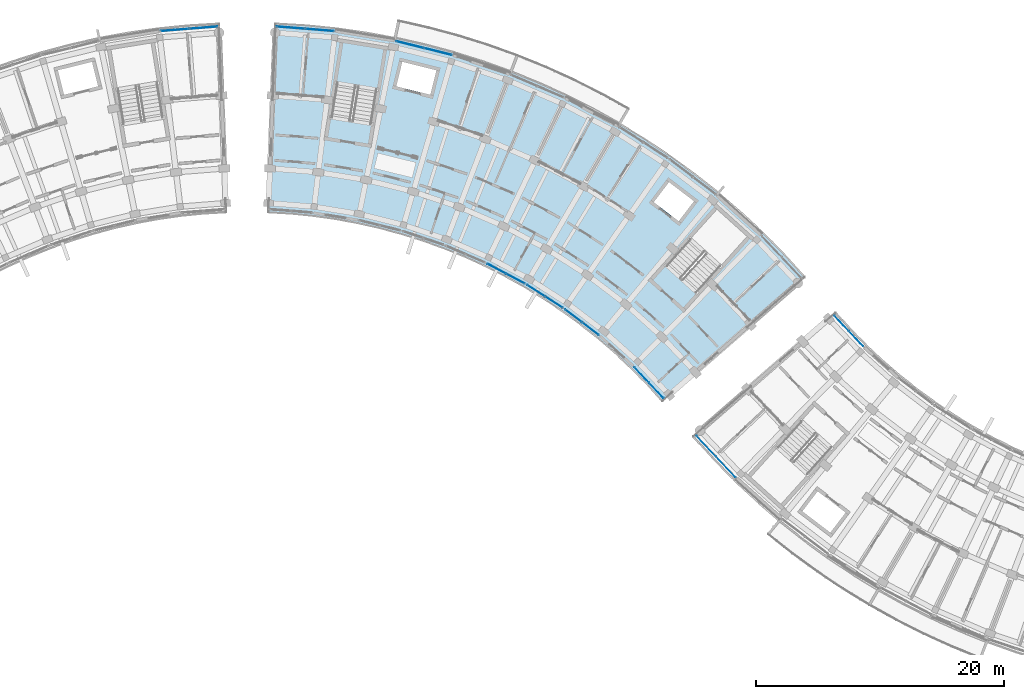
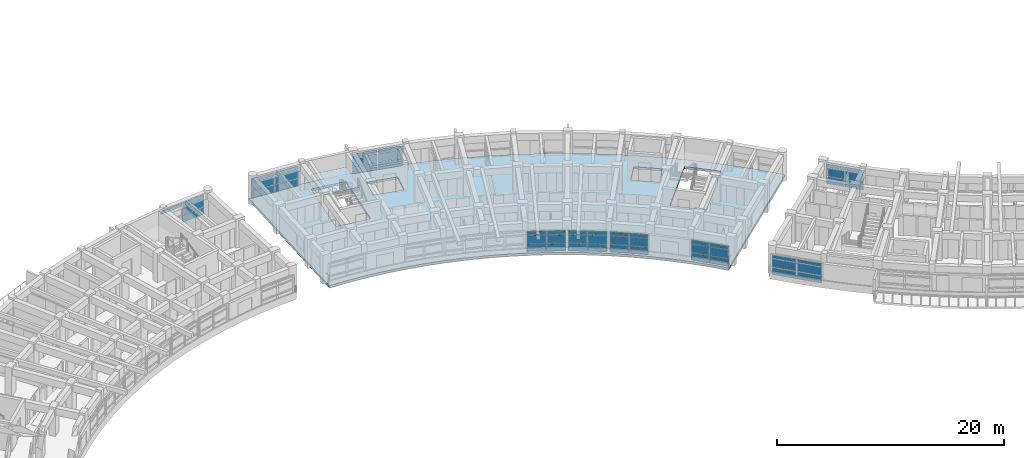
# One storey, part 35 of 70: 52 plates, 2 slabs, 10 elements without a shape of their own.
"""IFC4 building model written with IfcOpenShell, lengths in metres."""

from ifc_helpers import new_model, si_unit, direction, frame, origin, origin_2d, place, context, subcontext, project, spatial, polyline, rectangle, outline, extrude, material, layer, layer_set, type_object, element, aggregate, save


model = new_model("IFC4")

# Units and contexts
model_context = context("Model", 3, precision=1e-05, world=origin(), true_north=direction((0.0, 1.0)))
body_context = subcontext(model_context, "Body", "Model", "MODEL_VIEW")
ifc_project = project(units=[si_unit("LENGTHUNIT", "METRE"), si_unit("AREAUNIT", "SQUARE_METRE"), si_unit("VOLUMEUNIT", "CUBIC_METRE"), si_unit("PLANEANGLEUNIT", "RADIAN"), si_unit("MASSUNIT", "GRAM", prefix="KILO")], contexts=[model_context])

# Site, building, storey
site_placement = place(None, origin())
site = spatial("IfcSite", under=ifc_project, at=site_placement, CompositionType="ELEMENT")
building_placement = place(site_placement, origin())
building = spatial("IfcBuilding", under=site, at=building_placement, Name="Zimvara Arc Housing Community", CompositionType="ELEMENT")
storey_placement = place(building_placement, frame((0.0, 0.0, 8.10009765625)))
storey = spatial("IfcBuildingStorey", under=building, at=storey_placement, Name="L02", CompositionType="ELEMENT", Elevation=8.10009765625)

# Curtain wall, plates
ifc_material_1 = material(Name="Anodised Aluminium AW-6063", Category="aluminium")
curtain_wall_type_1 = type_object("IfcCurtainWallType", Name="CW-SYS-08", PredefinedType="USERDEFINED", material=ifc_material_1)
curtain_wall_1_placement = place(storey_placement, origin())
curtain_wall_1 = element("IfcCurtainWall", 1, at=curtain_wall_1_placement, inside=storey, type_object=curtain_wall_type_1, Name="cw:blkB:L02:in:b5", ObjectType="CURTAIN WALL", PredefinedType="USERDEFINED")
ifc_material_2 = material(Name="Pale-Gold Anodised Aluminium Spandrel Panel", Category="aluminium")
ifc_layer_1 = layer(ifc_material_2, 0.035888671875)
ifc_layer_set_1 = layer_set([ifc_layer_1], Name="Pale-Gold Anodised Aluminium Spandrel Panel")
plate_type_1 = type_object("IfcPlateType", Name="CWP-GLD-36", PredefinedType="CURTAIN_PANEL", material=ifc_layer_set_1)
plate_1_placement = place(storey_placement, frame((65.125244140625, 84.291259765625, 0.06494140625), z_axis=(0.0, 0.0, 1.0), x_axis=(0.88343981815, -0.468544648573, 0.0)))
plate_1 = element("IfcPlate", 2, at=plate_1_placement, type_object=plate_type_1, Name="CW08 panel 1.1", PredefinedType="CURTAIN_PANEL", context=body_context, shape_type="SweptSolid", body=[
    extrude(rectangle(XDim=1.664306640625, YDim=0.035888671875, at=origin_2d()), origin(), (0.0, 0.0, 1.0), 0.75244140625),
])
plate_2_placement = place(storey_placement, frame((65.125244140625, 84.291259765625, 0.88232421875), z_axis=(0.0, 0.0, 1.0), x_axis=(0.88343981815, -0.468544648573, 0.0)))
plate_2 = element("IfcPlate", 3, at=plate_2_placement, type_object=plate_type_1, Name="CW08 panel 1.2", PredefinedType="CURTAIN_PANEL", context=body_context, shape_type="SweptSolid", body=[
    extrude(rectangle(XDim=1.664306640625, YDim=0.035888671875, at=origin_2d()), origin(), (0.0, 0.0, 1.0), 0.885009765625),
])
plate_3_placement = place(storey_placement, frame((65.125244140625, 84.291259765625, 1.832275390625), z_axis=(0.0, 0.0, 1.0), x_axis=(0.88343981815, -0.468544648573, 0.0)))
plate_3 = element("IfcPlate", 4, at=plate_3_placement, type_object=plate_type_1, Name="CW08 panel 1.3", PredefinedType="CURTAIN_PANEL", context=body_context, shape_type="SweptSolid", body=[
    extrude(rectangle(XDim=1.664306640625, YDim=0.035888671875, at=origin_2d()), origin(), (0.0, 0.0, 1.0), 0.3525390625),
])
plate_4_placement = place(storey_placement, frame((66.653076171875, 83.48095703125, 0.06494140625), z_axis=(0.0, 0.0, 1.0), x_axis=(0.88343981815, -0.468544648573, 0.0)))
plate_4 = element("IfcPlate", 5, at=plate_4_placement, type_object=plate_type_1, Name="CW08 panel 2.1", PredefinedType="CURTAIN_PANEL", context=body_context, shape_type="SweptSolid", body=[
    extrude(rectangle(XDim=1.664306640625, YDim=0.035888671875, at=origin_2d()), origin(), (0.0, 0.0, 1.0), 0.75244140625),
])
plate_5_placement = place(storey_placement, frame((66.653076171875, 83.48095703125, 0.88232421875), z_axis=(0.0, 0.0, 1.0), x_axis=(0.88343981815, -0.468544648573, 0.0)))
plate_5 = element("IfcPlate", 6, at=plate_5_placement, type_object=plate_type_1, Name="CW08 panel 2.2", PredefinedType="CURTAIN_PANEL", context=body_context, shape_type="SweptSolid", body=[
    extrude(rectangle(XDim=1.664306640625, YDim=0.035888671875, at=origin_2d()), origin(), (0.0, 0.0, 1.0), 0.885009765625),
])
plate_6_placement = place(storey_placement, frame((66.653076171875, 83.48095703125, 1.832275390625), z_axis=(0.0, 0.0, 1.0), x_axis=(0.88343981815, -0.468544648573, 0.0)))
plate_6 = element("IfcPlate", 7, at=plate_6_placement, type_object=plate_type_1, Name="CW08 panel 2.3", PredefinedType="CURTAIN_PANEL", context=body_context, shape_type="SweptSolid", body=[
    extrude(rectangle(XDim=1.664306640625, YDim=0.035888671875, at=origin_2d()), origin(), (0.0, 0.0, 1.0), 0.3525390625),
])
aggregate(curtain_wall_1, [plate_1, plate_2, plate_3, plate_4, plate_5, plate_6])

ifc_material_3 = material(Name="Anodised Aluminium AW-6063", Category="aluminium")
curtain_wall_type_2 = type_object("IfcCurtainWallType", Name="CW-SYS-04", PredefinedType="USERDEFINED", material=ifc_material_3)
curtain_wall_2_placement = place(storey_placement, origin())
curtain_wall_2 = element("IfcCurtainWall", 8, at=curtain_wall_2_placement, inside=storey, type_object=curtain_wall_type_2, Name="cw:blkB:L02:in:b7", ObjectType="CURTAIN WALL", PredefinedType="USERDEFINED")
plate_7_placement = place(storey_placement, frame((71.328857421875, 80.48828125, 0.06494140625), z_axis=(0.0, 0.0, 1.0), x_axis=(0.795473543119, -0.605988318533, 0.0)))
plate_7 = element("IfcPlate", 9, at=plate_7_placement, type_object=plate_type_1, Name="CW04 panel 1.1", PredefinedType="CURTAIN_PANEL", context=body_context, shape_type="SweptSolid", body=[
    extrude(rectangle(XDim=1.664306640625, YDim=0.035888671875, at=origin_2d()), origin(), (0.0, 0.0, 1.0), 0.75244140625),
])
plate_8_placement = place(storey_placement, frame((71.328857421875, 80.48828125, 0.88232421875), z_axis=(0.0, 0.0, 1.0), x_axis=(0.795473543119, -0.605988318533, 0.0)))
plate_8 = element("IfcPlate", 10, at=plate_8_placement, type_object=plate_type_1, Name="CW04 panel 1.2", PredefinedType="CURTAIN_PANEL", context=body_context, shape_type="SweptSolid", body=[
    extrude(rectangle(XDim=1.664306640625, YDim=0.035888671875, at=origin_2d()), origin(), (0.0, 0.0, 1.0), 0.885009765625),
])
plate_9_placement = place(storey_placement, frame((71.328857421875, 80.48828125, 1.832275390625), z_axis=(0.0, 0.0, 1.0), x_axis=(0.795473543119, -0.605988318533, 0.0)))
plate_9 = element("IfcPlate", 11, at=plate_9_placement, type_object=plate_type_1, Name="CW04 panel 1.3", PredefinedType="CURTAIN_PANEL", context=body_context, shape_type="SweptSolid", body=[
    extrude(rectangle(XDim=1.664306640625, YDim=0.035888671875, at=origin_2d()), origin(), (0.0, 0.0, 1.0), 0.3525390625),
])
plate_10_placement = place(storey_placement, frame((72.704345703125, 79.4404296875, 0.06494140625), z_axis=(0.0, 0.0, 1.0), x_axis=(0.795473543119, -0.605988318533, 0.0)))
plate_10 = element("IfcPlate", 12, at=plate_10_placement, type_object=plate_type_1, Name="CW04 panel 2.1", PredefinedType="CURTAIN_PANEL", context=body_context, shape_type="SweptSolid", body=[
    extrude(rectangle(XDim=1.664306640625, YDim=0.035888671875, at=origin_2d()), origin(), (0.0, 0.0, 1.0), 0.75244140625),
])
plate_11_placement = place(storey_placement, frame((72.704345703125, 79.4404296875, 0.88232421875), z_axis=(0.0, 0.0, 1.0), x_axis=(0.795473543119, -0.605988318533, 0.0)))
plate_11 = element("IfcPlate", 13, at=plate_11_placement, type_object=plate_type_1, Name="CW04 panel 2.2", PredefinedType="CURTAIN_PANEL", context=body_context, shape_type="SweptSolid", body=[
    extrude(rectangle(XDim=1.664306640625, YDim=0.035888671875, at=origin_2d()), origin(), (0.0, 0.0, 1.0), 0.885009765625),
])
plate_12_placement = place(storey_placement, frame((72.704345703125, 79.4404296875, 1.832275390625), z_axis=(0.0, 0.0, 1.0), x_axis=(0.795473543119, -0.605988318533, 0.0)))
plate_12 = element("IfcPlate", 14, at=plate_12_placement, type_object=plate_type_1, Name="CW04 panel 2.3", PredefinedType="CURTAIN_PANEL", context=body_context, shape_type="SweptSolid", body=[
    extrude(rectangle(XDim=1.664306640625, YDim=0.035888671875, at=origin_2d()), origin(), (0.0, 0.0, 1.0), 0.3525390625),
])
aggregate(curtain_wall_2, [plate_7, plate_8, plate_9, plate_10, plate_11, plate_12])

ifc_material_4 = material(Name="Anodised Aluminium AW-6063", Category="aluminium")
curtain_wall_type_3 = type_object("IfcCurtainWallType", Name="CW-SYS-05", PredefinedType="USERDEFINED", material=ifc_material_4)
curtain_wall_3_placement = place(storey_placement, origin())
curtain_wall_3 = element("IfcCurtainWall", 15, at=curtain_wall_3_placement, inside=storey, type_object=curtain_wall_type_3, Name="cw:blkA:L02:out:b9", ObjectType="CURTAIN WALL", PredefinedType="USERDEFINED")
ifc_material_5 = material(Name="Solar Control Low-E Double Glazing", Category="glass")
ifc_layer_2 = layer(ifc_material_5, 0.02392578125)
ifc_layer_set_2 = layer_set([ifc_layer_2], Name="Solar Control Low-E Double Glazing")
plate_type_2 = type_object("IfcPlateType", Name="CWP-GLZ-24", PredefinedType="CURTAIN_PANEL", material=ifc_layer_set_2)
plate_13_placement = place(storey_placement, frame((39.141357421875, 103.552001953125, 1.832275390625), z_axis=(0.0, 0.0, 1.0), x_axis=(0.996862418963, 0.079153759607, 0.0)))
plate_13 = element("IfcPlate", 16, at=plate_13_placement, type_object=plate_type_2, Name="CW05 panel 1.3", PredefinedType="CURTAIN_PANEL", context=body_context, shape_type="SweptSolid", body=[
    extrude(rectangle(XDim=2.266845703125, YDim=0.02392578125, at=origin_2d()), origin(), (0.0, 0.0, 1.0), 0.3525390625),
])
plate_14_placement = place(storey_placement, frame((41.466064453125, 103.736572265625, 0.06494140625), z_axis=(0.0, 0.0, 1.0), x_axis=(0.996862418963, 0.079153759607, 0.0)))
plate_14 = element("IfcPlate", 17, at=plate_14_placement, type_object=plate_type_2, Name="CW05 panel 2.1", PredefinedType="CURTAIN_PANEL", context=body_context, shape_type="SweptSolid", body=[
    extrude(rectangle(XDim=2.266845703125, YDim=0.02392578125, at=origin_2d()), origin(), (0.0, 0.0, 1.0), 0.75244140625),
])
plate_15_placement = place(storey_placement, frame((41.466064453125, 103.736572265625, 0.88232421875), z_axis=(0.0, 0.0, 1.0), x_axis=(0.996862418963, 0.079153759607, 0.0)))
plate_15 = element("IfcPlate", 18, at=plate_15_placement, type_object=plate_type_2, Name="CW05 panel 2.2", PredefinedType="CURTAIN_PANEL", context=body_context, shape_type="SweptSolid", body=[
    extrude(rectangle(XDim=2.266845703125, YDim=0.02392578125, at=origin_2d()), origin(), (0.0, 0.0, 1.0), 0.885009765625),
])
plate_16_placement = place(storey_placement, frame((41.466064453125, 103.736572265625, 1.832275390625), z_axis=(0.0, 0.0, 1.0), x_axis=(0.996862418963, 0.079153759607, 0.0)))
plate_16 = element("IfcPlate", 19, at=plate_16_placement, type_object=plate_type_2, Name="CW05 panel 2.3", PredefinedType="CURTAIN_PANEL", context=body_context, shape_type="SweptSolid", body=[
    extrude(rectangle(XDim=2.266845703125, YDim=0.02392578125, at=origin_2d()), origin(), (0.0, 0.0, 1.0), 0.3525390625),
])
aggregate(curtain_wall_3, [plate_13, plate_14, plate_15, plate_16])

ifc_material_6 = material(Name="Anodised Aluminium AW-6063", Category="aluminium")
curtain_wall_type_4 = type_object("IfcCurtainWallType", Name="CW-SYS-01", PredefinedType="USERDEFINED", material=ifc_material_6)
curtain_wall_4_placement = place(storey_placement, origin())
curtain_wall_4 = element("IfcCurtainWall", 20, at=curtain_wall_4_placement, inside=storey, type_object=curtain_wall_type_4, Name="cw:blkB:L02:out:b0", ObjectType="CURTAIN WALL", PredefinedType="USERDEFINED")
plate_17_placement = place(storey_placement, frame((48.533935546875, 103.736572265625, 0.06494140625), z_axis=(0.0, 0.0, 1.0), x_axis=(0.996862418963, -0.079153759607, 0.0)))
plate_17 = element("IfcPlate", 21, at=plate_17_placement, type_object=plate_type_2, Name="CW01 panel 1.1", PredefinedType="CURTAIN_PANEL", context=body_context, shape_type="SweptSolid", body=[
    extrude(rectangle(XDim=2.266845703125, YDim=0.02392578125, at=origin_2d()), origin(), (0.0, 0.0, 1.0), 0.75244140625),
])
plate_18_placement = place(storey_placement, frame((48.533935546875, 103.736572265625, 0.88232421875), z_axis=(0.0, 0.0, 1.0), x_axis=(0.996862418963, -0.079153759607, 0.0)))
plate_18 = element("IfcPlate", 22, at=plate_18_placement, type_object=plate_type_2, Name="CW01 panel 1.2", PredefinedType="CURTAIN_PANEL", context=body_context, shape_type="SweptSolid", body=[
    extrude(rectangle(XDim=2.266845703125, YDim=0.02392578125, at=origin_2d()), origin(), (0.0, 0.0, 1.0), 0.885009765625),
])
plate_19_placement = place(storey_placement, frame((48.533935546875, 103.736572265625, 1.832275390625), z_axis=(0.0, 0.0, 1.0), x_axis=(0.996862418963, -0.079153759607, 0.0)))
plate_19 = element("IfcPlate", 23, at=plate_19_placement, type_object=plate_type_2, Name="CW01 panel 1.3", PredefinedType="CURTAIN_PANEL", context=body_context, shape_type="SweptSolid", body=[
    extrude(rectangle(XDim=2.266845703125, YDim=0.02392578125, at=origin_2d()), origin(), (0.0, 0.0, 1.0), 0.3525390625),
])
plate_20_placement = place(storey_placement, frame((50.858642578125, 103.552001953125, 0.06494140625), z_axis=(0.0, 0.0, 1.0), x_axis=(0.996862418963, -0.079153759607, 0.0)))
plate_20 = element("IfcPlate", 24, at=plate_20_placement, type_object=plate_type_2, Name="CW01 panel 2.1", PredefinedType="CURTAIN_PANEL", context=body_context, shape_type="SweptSolid", body=[
    extrude(rectangle(XDim=2.266845703125, YDim=0.02392578125, at=origin_2d()), origin(), (0.0, 0.0, 1.0), 0.75244140625),
])
plate_21_placement = place(storey_placement, frame((50.858642578125, 103.552001953125, 0.88232421875), z_axis=(0.0, 0.0, 1.0), x_axis=(0.996862418963, -0.079153759607, 0.0)))
plate_21 = element("IfcPlate", 25, at=plate_21_placement, type_object=plate_type_2, Name="CW01 panel 2.2", PredefinedType="CURTAIN_PANEL", context=body_context, shape_type="SweptSolid", body=[
    extrude(rectangle(XDim=2.266845703125, YDim=0.02392578125, at=origin_2d()), origin(), (0.0, 0.0, 1.0), 0.885009765625),
])
plate_22_placement = place(storey_placement, frame((50.858642578125, 103.552001953125, 1.832275390625), z_axis=(0.0, 0.0, 1.0), x_axis=(0.996862418963, -0.079153759607, 0.0)))
plate_22 = element("IfcPlate", 26, at=plate_22_placement, type_object=plate_type_2, Name="CW01 panel 2.3", PredefinedType="CURTAIN_PANEL", context=body_context, shape_type="SweptSolid", body=[
    extrude(rectangle(XDim=2.266845703125, YDim=0.02392578125, at=origin_2d()), origin(), (0.0, 0.0, 1.0), 0.3525390625),
])
aggregate(curtain_wall_4, [plate_17, plate_18, plate_19, plate_20, plate_21, plate_22])

curtain_wall_5_placement = place(storey_placement, origin())
curtain_wall_5 = element("IfcCurtainWall", 27, at=curtain_wall_5_placement, inside=storey, type_object=curtain_wall_type_3, Name="cw:blkC:L02:out:b0", ObjectType="CURTAIN WALL", PredefinedType="USERDEFINED")
plate_23_placement = place(storey_placement, frame((82.029052734375, 69.988037109375, 0.06494140625), z_axis=(0.0, 0.0, 1.0), x_axis=(0.686326416495, -0.727293647725, 0.0)))
plate_23 = element("IfcPlate", 28, at=plate_23_placement, type_object=plate_type_2, Name="CW05 panel 1.1", PredefinedType="CURTAIN_PANEL", context=body_context, shape_type="SweptSolid", body=[
    extrude(rectangle(XDim=2.266845703125, YDim=0.02392578125, at=origin_2d()), origin(), (0.0, 0.0, 1.0), 0.75244140625),
])
plate_24_placement = place(storey_placement, frame((82.029052734375, 69.988037109375, 0.88232421875), z_axis=(0.0, 0.0, 1.0), x_axis=(0.686326416495, -0.727293647725, 0.0)))
plate_24 = element("IfcPlate", 29, at=plate_24_placement, type_object=plate_type_2, Name="CW05 panel 1.2", PredefinedType="CURTAIN_PANEL", context=body_context, shape_type="SweptSolid", body=[
    extrude(rectangle(XDim=2.266845703125, YDim=0.02392578125, at=origin_2d()), origin(), (0.0, 0.0, 1.0), 0.885009765625),
])
plate_25_placement = place(storey_placement, frame((82.029052734375, 69.988037109375, 1.832275390625), z_axis=(0.0, 0.0, 1.0), x_axis=(0.686326416495, -0.727293647725, 0.0)))
plate_25 = element("IfcPlate", 30, at=plate_25_placement, type_object=plate_type_2, Name="CW05 panel 1.3", PredefinedType="CURTAIN_PANEL", context=body_context, shape_type="SweptSolid", body=[
    extrude(rectangle(XDim=2.266845703125, YDim=0.02392578125, at=origin_2d()), origin(), (0.0, 0.0, 1.0), 0.3525390625),
])
plate_26_placement = place(storey_placement, frame((83.629638671875, 68.2919921875, 0.06494140625), z_axis=(0.0, 0.0, 1.0), x_axis=(0.686326416495, -0.727293647725, 0.0)))
plate_26 = element("IfcPlate", 31, at=plate_26_placement, type_object=plate_type_2, Name="CW05 panel 2.1", PredefinedType="CURTAIN_PANEL", context=body_context, shape_type="SweptSolid", body=[
    extrude(rectangle(XDim=2.266845703125, YDim=0.02392578125, at=origin_2d()), origin(), (0.0, 0.0, 1.0), 0.75244140625),
])
plate_27_placement = place(storey_placement, frame((83.629638671875, 68.2919921875, 0.88232421875), z_axis=(0.0, 0.0, 1.0), x_axis=(0.686326416495, -0.727293647725, 0.0)))
plate_27 = element("IfcPlate", 32, at=plate_27_placement, type_object=plate_type_2, Name="CW05 panel 2.2", PredefinedType="CURTAIN_PANEL", context=body_context, shape_type="SweptSolid", body=[
    extrude(rectangle(XDim=2.266845703125, YDim=0.02392578125, at=origin_2d()), origin(), (0.0, 0.0, 1.0), 0.885009765625),
])
plate_28_placement = place(storey_placement, frame((83.629638671875, 68.2919921875, 1.832275390625), z_axis=(0.0, 0.0, 1.0), x_axis=(0.686326416495, -0.727293647725, 0.0)))
plate_28 = element("IfcPlate", 33, at=plate_28_placement, type_object=plate_type_2, Name="CW05 panel 2.3", PredefinedType="CURTAIN_PANEL", context=body_context, shape_type="SweptSolid", body=[
    extrude(rectangle(XDim=2.266845703125, YDim=0.02392578125, at=origin_2d()), origin(), (0.0, 0.0, 1.0), 0.3525390625),
])
aggregate(curtain_wall_5, [plate_23, plate_24, plate_25, plate_26, plate_27, plate_28])

ifc_material_7 = material(Name="Anodised Aluminium AW-6063", Category="aluminium")
curtain_wall_type_5 = type_object("IfcCurtainWallType", Name="CW-SYS-02", PredefinedType="USERDEFINED", material=ifc_material_7)
curtain_wall_6_placement = place(storey_placement, origin())
curtain_wall_6 = element("IfcCurtainWall", 34, at=curtain_wall_6_placement, inside=storey, type_object=curtain_wall_type_5, Name="cw:blkB:L02:in:b6", ObjectType="CURTAIN WALL", PredefinedType="USERDEFINED")
ifc_material_8 = material(Name="Solar Control Low-E Double Glazing", Category="glass")
ifc_layer_3 = layer(ifc_material_8, 0.028076171875)
ifc_layer_set_3 = layer_set([ifc_layer_3], Name="Solar Control Low-E Double Glazing")
plate_type_3 = type_object("IfcPlateType", Name="CWP-GLZ-28", PredefinedType="CURTAIN_PANEL", material=ifc_layer_set_3)
plate_29_placement = place(storey_placement, frame((68.3046875, 82.5166015625, 0.06494140625), z_axis=(0.0, 0.0, 1.0), x_axis=(0.842264751752, -0.539064085203, 0.0)))
plate_29 = element("IfcPlate", 35, at=plate_29_placement, type_object=plate_type_3, Name="CW02 panel 1.1", PredefinedType="CURTAIN_PANEL", context=body_context, shape_type="SweptSolid", body=[
    extrude(rectangle(XDim=1.664306640625, YDim=0.028076171875, at=origin_2d()), origin(), (0.0, 0.0, 1.0), 0.75244140625),
])
plate_30_placement = place(storey_placement, frame((68.3046875, 82.5166015625, 0.88232421875), z_axis=(0.0, 0.0, 1.0), x_axis=(0.842264751752, -0.539064085203, 0.0)))
plate_30 = element("IfcPlate", 36, at=plate_30_placement, type_object=plate_type_3, Name="CW02 panel 1.2", PredefinedType="CURTAIN_PANEL", context=body_context, shape_type="SweptSolid", body=[
    extrude(rectangle(XDim=1.664306640625, YDim=0.028076171875, at=origin_2d()), origin(), (0.0, 0.0, 1.0), 0.885009765625),
])
plate_31_placement = place(storey_placement, frame((68.3046875, 82.5166015625, 1.832275390625), z_axis=(0.0, 0.0, 1.0), x_axis=(0.842264751752, -0.539064085203, 0.0)))
plate_31 = element("IfcPlate", 37, at=plate_31_placement, type_object=plate_type_3, Name="CW02 panel 1.3", PredefinedType="CURTAIN_PANEL", context=body_context, shape_type="SweptSolid", body=[
    extrude(rectangle(XDim=1.664306640625, YDim=0.028076171875, at=origin_2d()), origin(), (0.0, 0.0, 1.0), 0.3525390625),
])
plate_32_placement = place(storey_placement, frame((69.76123046875, 81.58447265625, 0.06494140625), z_axis=(0.0, 0.0, 1.0), x_axis=(0.842264751752, -0.539064085203, 0.0)))
plate_32 = element("IfcPlate", 38, at=plate_32_placement, type_object=plate_type_3, Name="CW02 panel 2.1", PredefinedType="CURTAIN_PANEL", context=body_context, shape_type="SweptSolid", body=[
    extrude(rectangle(XDim=1.664306640625, YDim=0.028076171875, at=origin_2d()), origin(), (0.0, 0.0, 1.0), 0.75244140625),
])
plate_33_placement = place(storey_placement, frame((69.76123046875, 81.58447265625, 0.88232421875), z_axis=(0.0, 0.0, 1.0), x_axis=(0.842264751752, -0.539064085203, 0.0)))
plate_33 = element("IfcPlate", 39, at=plate_33_placement, type_object=plate_type_3, Name="CW02 panel 2.2", PredefinedType="CURTAIN_PANEL", context=body_context, shape_type="SweptSolid", body=[
    extrude(rectangle(XDim=1.664306640625, YDim=0.028076171875, at=origin_2d()), origin(), (0.0, 0.0, 1.0), 0.885009765625),
])
plate_34_placement = place(storey_placement, frame((69.76123046875, 81.58447265625, 1.832275390625), z_axis=(0.0, 0.0, 1.0), x_axis=(0.842264751752, -0.539064085203, 0.0)))
plate_34 = element("IfcPlate", 40, at=plate_34_placement, type_object=plate_type_3, Name="CW02 panel 2.3", PredefinedType="CURTAIN_PANEL", context=body_context, shape_type="SweptSolid", body=[
    extrude(rectangle(XDim=1.664306640625, YDim=0.028076171875, at=origin_2d()), origin(), (0.0, 0.0, 1.0), 0.3525390625),
])
aggregate(curtain_wall_6, [plate_29, plate_30, plate_31, plate_32, plate_33, plate_34])

ifc_material_9 = material(Name="Anodised Aluminium AW-6063", Category="aluminium")
curtain_wall_type_6 = type_object("IfcCurtainWallType", Name="CW-SYS-06", PredefinedType="USERDEFINED", material=ifc_material_9)
curtain_wall_7_placement = place(storey_placement, origin())
curtain_wall_7 = element("IfcCurtainWall", 41, at=curtain_wall_7_placement, inside=storey, type_object=curtain_wall_type_6, Name="cw:blkB:L02:in:b9", ObjectType="CURTAIN WALL", PredefinedType="USERDEFINED")
plate_35_placement = place(storey_placement, frame((76.831298828125, 75.727294921875, 0.06494140625), z_axis=(0.0, 0.0, 1.0), x_axis=(0.686326805658, -0.727293280483, 0.0)))
plate_35 = element("IfcPlate", 42, at=plate_35_placement, type_object=plate_type_3, Name="CW06 panel 1.1", PredefinedType="CURTAIN_PANEL", context=body_context, shape_type="SweptSolid", body=[
    extrude(rectangle(XDim=1.664306640625, YDim=0.028076171875, at=origin_2d()), origin(), (0.0, 0.0, 1.0), 0.75244140625),
])
plate_36_placement = place(storey_placement, frame((76.831298828125, 75.727294921875, 0.88232421875), z_axis=(0.0, 0.0, 1.0), x_axis=(0.686326805658, -0.727293280483, 0.0)))
plate_36 = element("IfcPlate", 43, at=plate_36_placement, type_object=plate_type_3, Name="CW06 panel 1.2", PredefinedType="CURTAIN_PANEL", context=body_context, shape_type="SweptSolid", body=[
    extrude(rectangle(XDim=1.664306640625, YDim=0.028076171875, at=origin_2d()), origin(), (0.0, 0.0, 1.0), 0.885009765625),
])
plate_37_placement = place(storey_placement, frame((76.831298828125, 75.727294921875, 1.832275390625), z_axis=(0.0, 0.0, 1.0), x_axis=(0.686326805658, -0.727293280483, 0.0)))
plate_37 = element("IfcPlate", 44, at=plate_37_placement, type_object=plate_type_3, Name="CW06 panel 1.3", PredefinedType="CURTAIN_PANEL", context=body_context, shape_type="SweptSolid", body=[
    extrude(rectangle(XDim=1.664306640625, YDim=0.028076171875, at=origin_2d()), origin(), (0.0, 0.0, 1.0), 0.3525390625),
])
plate_38_placement = place(storey_placement, frame((78.018310546875, 74.469482421875, 0.06494140625), z_axis=(0.0, 0.0, 1.0), x_axis=(0.686326805658, -0.727293280483, 0.0)))
plate_38 = element("IfcPlate", 45, at=plate_38_placement, type_object=plate_type_3, Name="CW06 panel 2.1", PredefinedType="CURTAIN_PANEL", context=body_context, shape_type="SweptSolid", body=[
    extrude(rectangle(XDim=1.664306640625, YDim=0.028076171875, at=origin_2d()), origin(), (0.0, 0.0, 1.0), 0.75244140625),
])
plate_39_placement = place(storey_placement, frame((78.018310546875, 74.469482421875, 0.88232421875), z_axis=(0.0, 0.0, 1.0), x_axis=(0.686326805658, -0.727293280483, 0.0)))
plate_39 = element("IfcPlate", 46, at=plate_39_placement, type_object=plate_type_3, Name="CW06 panel 2.2", PredefinedType="CURTAIN_PANEL", context=body_context, shape_type="SweptSolid", body=[
    extrude(rectangle(XDim=1.664306640625, YDim=0.028076171875, at=origin_2d()), origin(), (0.0, 0.0, 1.0), 0.885009765625),
])
plate_40_placement = place(storey_placement, frame((78.018310546875, 74.469482421875, 1.832275390625), z_axis=(0.0, 0.0, 1.0), x_axis=(0.686326805658, -0.727293280483, 0.0)))
plate_40 = element("IfcPlate", 47, at=plate_40_placement, type_object=plate_type_3, Name="CW06 panel 2.3", PredefinedType="CURTAIN_PANEL", context=body_context, shape_type="SweptSolid", body=[
    extrude(rectangle(XDim=1.664306640625, YDim=0.028076171875, at=origin_2d()), origin(), (0.0, 0.0, 1.0), 0.3525390625),
])
aggregate(curtain_wall_7, [plate_35, plate_36, plate_37, plate_38, plate_39, plate_40])

curtain_wall_8_placement = place(storey_placement, origin())
curtain_wall_8 = element("IfcCurtainWall", 48, at=curtain_wall_8_placement, inside=storey, type_object=curtain_wall_type_6, Name="cw:blkC:L02:in:b0", ObjectType="CURTAIN WALL", PredefinedType="USERDEFINED")
plate_41_placement = place(storey_placement, frame((92.961669921875, 79.890625, 0.06494140625), z_axis=(0.0, 0.0, 1.0), x_axis=(0.686326805658, -0.727293280483, 0.0)))
plate_41 = element("IfcPlate", 49, at=plate_41_placement, type_object=plate_type_3, Name="CW06 panel 1.1", PredefinedType="CURTAIN_PANEL", context=body_context, shape_type="SweptSolid", body=[
    extrude(rectangle(XDim=1.664306640625, YDim=0.028076171875, at=origin_2d()), origin(), (0.0, 0.0, 1.0), 0.75244140625),
])
plate_42_placement = place(storey_placement, frame((92.961669921875, 79.890625, 0.88232421875), z_axis=(0.0, 0.0, 1.0), x_axis=(0.686326805658, -0.727293280483, 0.0)))
plate_42 = element("IfcPlate", 50, at=plate_42_placement, type_object=plate_type_3, Name="CW06 panel 1.2", PredefinedType="CURTAIN_PANEL", context=body_context, shape_type="SweptSolid", body=[
    extrude(rectangle(XDim=1.664306640625, YDim=0.028076171875, at=origin_2d()), origin(), (0.0, 0.0, 1.0), 0.885009765625),
])
plate_43_placement = place(storey_placement, frame((92.961669921875, 79.890625, 1.832275390625), z_axis=(0.0, 0.0, 1.0), x_axis=(0.686326805658, -0.727293280483, 0.0)))
plate_43 = element("IfcPlate", 51, at=plate_43_placement, type_object=plate_type_3, Name="CW06 panel 1.3", PredefinedType="CURTAIN_PANEL", context=body_context, shape_type="SweptSolid", body=[
    extrude(rectangle(XDim=1.664306640625, YDim=0.028076171875, at=origin_2d()), origin(), (0.0, 0.0, 1.0), 0.3525390625),
])
plate_44_placement = place(storey_placement, frame((94.148681640625, 78.6328125, 0.06494140625), z_axis=(0.0, 0.0, 1.0), x_axis=(0.686326805658, -0.727293280483, 0.0)))
plate_44 = element("IfcPlate", 52, at=plate_44_placement, type_object=plate_type_3, Name="CW06 panel 2.1", PredefinedType="CURTAIN_PANEL", context=body_context, shape_type="SweptSolid", body=[
    extrude(rectangle(XDim=1.664306640625, YDim=0.028076171875, at=origin_2d()), origin(), (0.0, 0.0, 1.0), 0.75244140625),
])
plate_45_placement = place(storey_placement, frame((94.148681640625, 78.6328125, 0.88232421875), z_axis=(0.0, 0.0, 1.0), x_axis=(0.686326805658, -0.727293280483, 0.0)))
plate_45 = element("IfcPlate", 53, at=plate_45_placement, type_object=plate_type_3, Name="CW06 panel 2.2", PredefinedType="CURTAIN_PANEL", context=body_context, shape_type="SweptSolid", body=[
    extrude(rectangle(XDim=1.664306640625, YDim=0.028076171875, at=origin_2d()), origin(), (0.0, 0.0, 1.0), 0.885009765625),
])
plate_46_placement = place(storey_placement, frame((94.148681640625, 78.6328125, 1.832275390625), z_axis=(0.0, 0.0, 1.0), x_axis=(0.686326805658, -0.727293280483, 0.0)))
plate_46 = element("IfcPlate", 54, at=plate_46_placement, type_object=plate_type_3, Name="CW06 panel 2.3", PredefinedType="CURTAIN_PANEL", context=body_context, shape_type="SweptSolid", body=[
    extrude(rectangle(XDim=1.664306640625, YDim=0.028076171875, at=origin_2d()), origin(), (0.0, 0.0, 1.0), 0.3525390625),
])
aggregate(curtain_wall_8, [plate_41, plate_42, plate_43, plate_44, plate_45, plate_46])

ifc_material_10 = material(Name="Anodised Aluminium AW-6063", Category="aluminium")
curtain_wall_type_7 = type_object("IfcCurtainWallType", Name="CW-SYS-03", PredefinedType="USERDEFINED", material=ifc_material_10)
curtain_wall_9_placement = place(storey_placement, origin())
curtain_wall_9 = element("IfcCurtainWall", 55, at=curtain_wall_9_placement, inside=storey, type_object=curtain_wall_type_7, Name="cw:blkB:L02:out:b2", ObjectType="CURTAIN WALL", PredefinedType="USERDEFINED")
ifc_material_11 = material(Name="Acoustic Laminated Solar Glazing", Category="glass")
ifc_layer_4 = layer(ifc_material_11, 0.031982421875)
ifc_layer_set_4 = layer_set([ifc_layer_4], Name="Acoustic Laminated Solar Glazing")
plate_type_4 = type_object("IfcPlateType", Name="CWP-GLZ-32", PredefinedType="CURTAIN_PANEL", material=ifc_layer_set_4)
plate_47_placement = place(storey_placement, frame((58.12109375, 102.373291015625, 0.06494140625), z_axis=(0.0, 0.0, 1.0), x_axis=(0.970716068627, -0.240229711131, 0.0)))
plate_47 = element("IfcPlate", 56, at=plate_47_placement, type_object=plate_type_4, Name="CW03 panel 1.1", PredefinedType="CURTAIN_PANEL", context=body_context, shape_type="SweptSolid", body=[
    extrude(rectangle(XDim=2.266845703125, YDim=0.031982421875, at=origin_2d()), origin(), (0.0, 0.0, 1.0), 0.75244140625),
])
plate_48_placement = place(storey_placement, frame((58.12109375, 102.373291015625, 0.88232421875), z_axis=(0.0, 0.0, 1.0), x_axis=(0.970716068627, -0.240229711131, 0.0)))
plate_48 = element("IfcPlate", 57, at=plate_48_placement, type_object=plate_type_4, Name="CW03 panel 1.2", PredefinedType="CURTAIN_PANEL", context=body_context, shape_type="SweptSolid", body=[
    extrude(rectangle(XDim=2.266845703125, YDim=0.031982421875, at=origin_2d()), origin(), (0.0, 0.0, 1.0), 0.885009765625),
])
plate_49_placement = place(storey_placement, frame((58.12109375, 102.373291015625, 1.832275390625), z_axis=(0.0, 0.0, 1.0), x_axis=(0.970716068627, -0.240229711131, 0.0)))
plate_49 = element("IfcPlate", 58, at=plate_49_placement, type_object=plate_type_4, Name="CW03 panel 1.3", PredefinedType="CURTAIN_PANEL", context=body_context, shape_type="SweptSolid", body=[
    extrude(rectangle(XDim=2.266845703125, YDim=0.031982421875, at=origin_2d()), origin(), (0.0, 0.0, 1.0), 0.3525390625),
])
plate_50_placement = place(storey_placement, frame((60.384765625, 101.81298828125, 0.06494140625), z_axis=(0.0, 0.0, 1.0), x_axis=(0.970716068627, -0.240229711131, 0.0)))
plate_50 = element("IfcPlate", 59, at=plate_50_placement, type_object=plate_type_4, Name="CW03 panel 2.1", PredefinedType="CURTAIN_PANEL", context=body_context, shape_type="SweptSolid", body=[
    extrude(rectangle(XDim=2.266845703125, YDim=0.031982421875, at=origin_2d()), origin(), (0.0, 0.0, 1.0), 0.75244140625),
])
plate_51_placement = place(storey_placement, frame((60.384765625, 101.81298828125, 0.88232421875), z_axis=(0.0, 0.0, 1.0), x_axis=(0.970716068627, -0.240229711131, 0.0)))
plate_51 = element("IfcPlate", 60, at=plate_51_placement, type_object=plate_type_4, Name="CW03 panel 2.2", PredefinedType="CURTAIN_PANEL", context=body_context, shape_type="SweptSolid", body=[
    extrude(rectangle(XDim=2.266845703125, YDim=0.031982421875, at=origin_2d()), origin(), (0.0, 0.0, 1.0), 0.885009765625),
])
plate_52_placement = place(storey_placement, frame((60.384765625, 101.81298828125, 1.832275390625), z_axis=(0.0, 0.0, 1.0), x_axis=(0.970716068627, -0.240229711131, 0.0)))
plate_52 = element("IfcPlate", 61, at=plate_52_placement, type_object=plate_type_4, Name="CW03 panel 2.3", PredefinedType="CURTAIN_PANEL", context=body_context, shape_type="SweptSolid", body=[
    extrude(rectangle(XDim=2.266845703125, YDim=0.031982421875, at=origin_2d()), origin(), (0.0, 0.0, 1.0), 0.3525390625),
])
aggregate(curtain_wall_9, [plate_47, plate_48, plate_49, plate_50, plate_51, plate_52])

# Stair, slab
ifc_material_12 = material(Name="Concrete C35/45", Category="concrete")
stair_type = type_object("IfcStairType", Name="STR-DL-315-310", PredefinedType="HALF_TURN_STAIR", material=ifc_material_12)
stair_placement = place(storey_placement, origin())
stair = element("IfcStair", 62, at=stair_placement, inside=storey, type_object=stair_type, Name="L02 Block B Exit Stair 1", PredefinedType="HALF_TURN_STAIR")
ifc_material_13 = material(Name="Concrete C35/45", Category="concrete")
ifc_layer_5 = layer(ifc_material_13, 0.199951171875)
ifc_layer_set_5 = layer_set([ifc_layer_5], Name="Concrete C35/45")
slab_type_1 = type_object("IfcSlabType", Name="SLB-STAIR-LND-200", PredefinedType="LANDING", material=ifc_layer_set_5)
slab_1_placement = place(storey_placement, frame((0.0, 0.0, 1.349853515625)))
slab_1 = element("IfcSlab", 63, at=slab_1_placement, type_object=slab_type_1, Name="ST-B1 landing 1", PredefinedType="LANDING", context=body_context, shape_type="SweptSolid", body=[
    extrude(outline(polyline([(55.501953125, 98.712646484375), (56.037841796875, 102.014404296875), (52.721435546875, 102.552978515625), (52.185302734375, 99.2509765625), (55.501953125, 98.712646484375)])), origin(), (0.0, 0.0, 1.0), 0.199951171875),
])
aggregate(stair, [slab_1])

# Slab
ifc_material_14 = material(Name="Concrete C35/45", Category="concrete")
ifc_layer_6 = layer(ifc_material_14, 0.23388671875)
ifc_layer_set_6 = layer_set([ifc_layer_6], Name="Concrete C35/45")
slab_type_2 = type_object("IfcSlabType", Name="SLB-VAR-06", PredefinedType="FLOOR", material=ifc_layer_set_6)
slab_2_placement = place(storey_placement, frame((0.0, 0.0, -0.234130859375)))
element("IfcSlab", 64, at=slab_2_placement, inside=storey, type_object=slab_type_2, Name="slab:blkB:L02:main", PredefinedType="FLOOR", context=body_context, shape_type="SweptSolid", body=[
    extrude(outline(polyline([(46.704345703125, 88.8671875), (48.514404296875, 88.7607421875), (50.318603515625, 88.580322265625), (52.114013671875, 88.326416015625), (53.8974609375, 87.999267578125), (55.666015625, 87.599853515625), (57.4169921875, 87.12841796875), (59.147216796875, 86.5859375), (60.853759765625, 85.97314453125), (62.53369140625, 85.291259765625), (64.1845703125, 84.541259765625), (65.803466796875, 83.724609375), (67.3876953125, 82.842529296875), (68.9345703125, 81.896484375), (70.44140625, 80.88818359375), (71.90576171875, 79.819091796875), (73.325439453125, 78.69091796875), (74.697998046875, 77.506103515625), (76.020751953125, 76.265869140625), (77.291748046875, 74.972900390625), (78.509033203125, 73.62890625), (89.980712890625, 83.60107421875), (88.3466796875, 85.405029296875), (86.640380859375, 87.140869140625), (84.86474609375, 88.805419921875), (83.0224609375, 90.39599609375), (81.116943359375, 91.91015625), (79.151123046875, 93.34521484375), (77.128173828125, 94.698974609375), (75.052001953125, 95.96875), (72.92529296875, 97.15283203125), (70.752197265625, 98.249267578125), (68.536376953125, 99.255859375), (66.281005859375, 100.171142578125), (63.990234375, 100.99365234375), (61.667724609375, 101.721923828125), (59.317626953125, 102.354736328125), (56.943359375, 102.89111328125), (54.549560546875, 103.330078125), (52.139404296875, 103.6708984375), (49.717529296875, 103.9130859375), (47.287841796875, 104.05615234375), (46.704345703125, 88.8671875)]), holes=[polyline([(51.777099609375, 96.48583984375), (52.75439453125, 102.507080078125), (55.991943359375, 101.9814453125), (55.0146484375, 95.960205078125), (51.777099609375, 96.48583984375)]), polyline([(78.82958984375, 84.550048828125), (82.909912109375, 89.08447265625), (85.34814453125, 86.890625), (81.26806640625, 82.356201171875), (78.82958984375, 84.550048828125)]), polyline([(57.0263671875, 99.007080078125), (57.516357421875, 100.9873046875), (60.273193359375, 100.30517578125), (59.783203125, 98.324951171875), (57.0263671875, 99.007080078125)]), polyline([(77.803955078125, 89.656982421875), (79.0400390625, 91.27978515625), (81.060546875, 89.740478515625), (79.824462890625, 88.117919921875), (77.803955078125, 89.656982421875)])]), origin(), (0.0, 0.0, 1.0), 0.234130859375),
])

save(model, "model.ifc")
